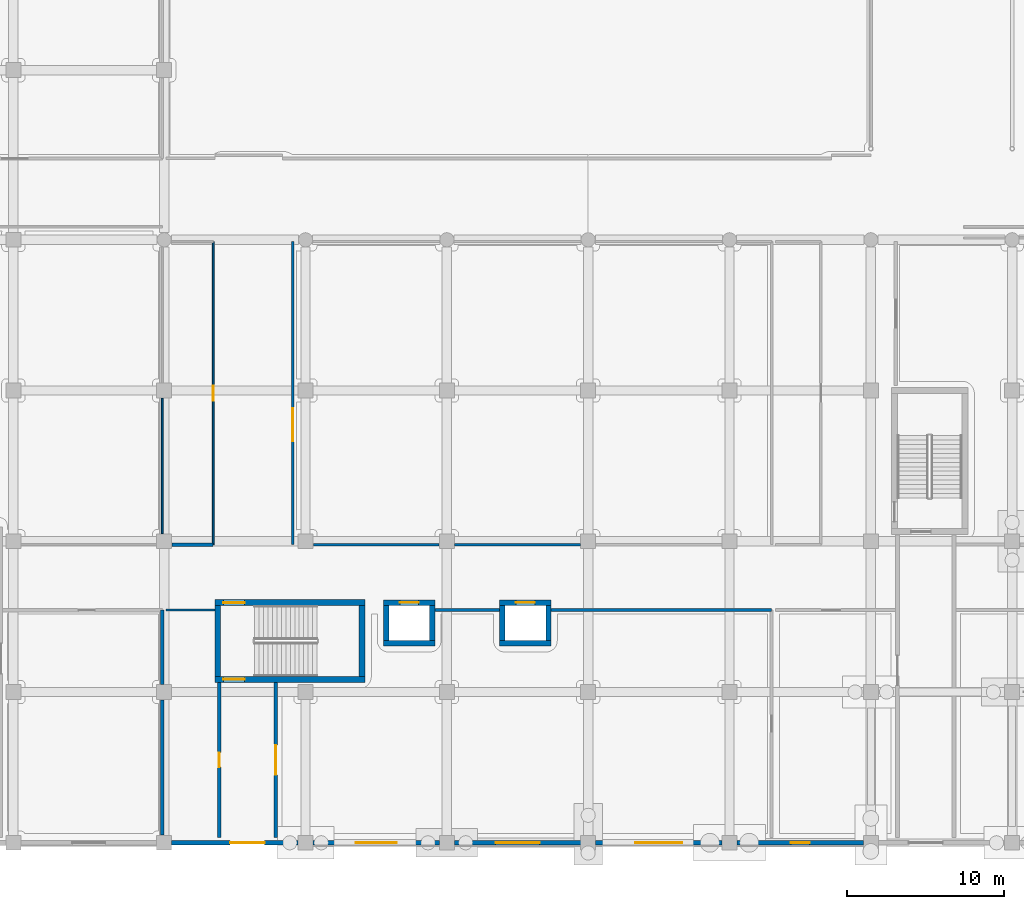
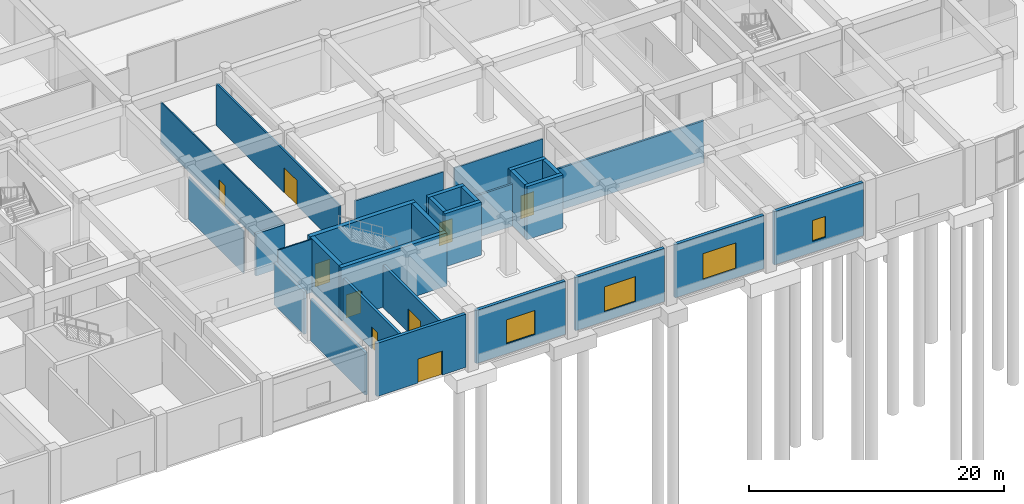
# One storey, part 31 of 74: 30 walls, 9 doors, 4 windows, 13 openings.
"""IFC4 building model written with IfcOpenShell, lengths in metres."""

import ifcopenshell
import ifcopenshell.guid

model = None  # the IFC model being written
_history = None  # IfcOwnerHistory: only IFC2X3 demands one
_inside = {}  # id of a spatial element -> (the spatial element, [elements in it])
_under = {}  # id of a project, library or spatial element -> (it, [spatial elements below it])
_declared = {}  # id of a project -> (the project, [libraries it declares])
_typed = {}  # id of a type object -> (the type object, [elements of that type])
_made_of = {}  # id of a material, layer set ... -> (it, [elements and type objects made of it])


def new_model(schema):
    """Start an empty IFC model of exactly this schema.

    Asked for "IFC4X3", IfcOpenShell would pick the latest addendum, in which some entities
    have other attributes; the version numbers below select the first issue.
    IFC2X3 requires an IfcOwnerHistory on every rooted entity: one is made here for all.
    """
    global model, _history
    if schema == "IFC4X3":
        model = ifcopenshell.file(schema_version=(4, 3, 0, 0))
    else:
        model = ifcopenshell.file(schema=schema)
    _inside.clear()
    _under.clear()
    _declared.clear()
    _typed.clear()
    _made_of.clear()
    _history = None
    if model.schema == "IFC2X3":
        org = make("IfcOrganization", Name="unknown")
        user = make(
            "IfcPersonAndOrganization",
            ThePerson=make("IfcPerson", FamilyName="unknown"),
            TheOrganization=org,
        )
        app = make(
            "IfcApplication",
            ApplicationDeveloper=org,
            Version="unknown",
            ApplicationFullName="unknown",
            ApplicationIdentifier="unknown",
        )
        _history = make(
            "IfcOwnerHistory",
            OwningUser=user,
            OwningApplication=app,
            ChangeAction="ADDED",
            CreationDate=0,
        )
    return model


def make(cls, **values):
    """One entity of the class cls with the attributes given. An attribute that is None is left unset."""
    return model.create_entity(
        cls, **{name: value for name, value in values.items() if value is not None}
    )


def rooted(cls, **values):
    """An entity with a GlobalId (a new one), such as an element, a storey or a relation."""
    return make(cls, GlobalId=ifcopenshell.guid.new(), OwnerHistory=_history, **values)


def si_unit(unit_type, name, prefix=None):
    """IfcSIUnit, for example si_unit("LENGTHUNIT", "METRE", prefix="MILLI")."""
    return make("IfcSIUnit", UnitType=unit_type, Prefix=prefix, Name=name)


def assignment(units):
    """IfcUnitAssignment: the units of a project."""
    return None if units is None else make("IfcUnitAssignment", Units=units)


def point(xyz):
    """IfcCartesianPoint."""
    return None if xyz is None else make("IfcCartesianPoint", Coordinates=xyz)


def direction(xyz):
    """IfcDirection."""
    return None if xyz is None else make("IfcDirection", DirectionRatios=xyz)


def frame(location, z_axis=None, x_axis=None):
    """IfcAxis2Placement3D, a coordinate frame: its origin and axes. An axis left out is left unset."""
    return make(
        "IfcAxis2Placement3D",
        Location=point(location),
        Axis=direction(z_axis),
        RefDirection=direction(x_axis),
    )


def frame_2d(location, x_axis=None):
    """IfcAxis2Placement2D, a coordinate frame in the plane: its origin and x axis."""
    return make(
        "IfcAxis2Placement2D", Location=point(location), RefDirection=direction(x_axis)
    )


def origin():
    """The frame at (0, 0, 0) with its axes left unset."""
    return frame((0.0, 0.0, 0.0))


def place(relative_to, where):
    """IfcLocalPlacement: puts the frame where relative to a parent placement (None: the world)."""
    return make(
        "IfcLocalPlacement", PlacementRelTo=relative_to, RelativePlacement=where
    )


def context(
    kind, dimensions, precision=None, world=None, true_north=None, identifier=None
):
    """IfcGeometricRepresentationContext, for example the 3D "Model" context."""
    return make(
        "IfcGeometricRepresentationContext",
        ContextIdentifier=identifier,
        ContextType=kind,
        CoordinateSpaceDimension=dimensions,
        Precision=precision,
        WorldCoordinateSystem=world,
        TrueNorth=true_north,
    )


def subcontext(parent, identifier, kind, view, scale=None):
    """IfcGeometricRepresentationSubContext, for example "Body" below "Model"."""
    return make(
        "IfcGeometricRepresentationSubContext",
        ContextIdentifier=identifier,
        ContextType=kind,
        ParentContext=parent,
        TargetScale=scale,
        TargetView=view,
    )


def project(units=None, contexts=None):
    """IfcProject with its units and contexts."""
    return rooted(
        "IfcProject",
        Name="project",
        RepresentationContexts=contexts,
        UnitsInContext=assignment(units),
    )


def spatial(cls, under=None, at=None, **own):
    """A site, building, storey or space (cls), placed at a placement, below another one or the project."""
    s = rooted(cls, ObjectPlacement=at, **own)
    if under is not None:
        _under.setdefault(under.id(), (under, []))[1].append(s)
    return s


def profile(cls, at=None, kind="AREA", **sizes):
    """A parametric profile (cls). Its sizes go by their IFC names, for example OverallWidth=200.0."""
    return make(cls, ProfileType=kind, Position=at, **sizes)


def rectangle(**sizes):
    """IfcRectangleProfileDef."""
    return profile("IfcRectangleProfileDef", **sizes)


def extrude(swept, where, along, depth):
    """IfcExtrudedAreaSolid: the profile swept, set in the frame where, extruded along a direction by depth."""
    return make(
        "IfcExtrudedAreaSolid",
        SweptArea=swept,
        Position=where,
        ExtrudedDirection=direction(along),
        Depth=depth,
    )


def shape(context_of_items, identifier, shape_type, items):
    """IfcShapeRepresentation: the items that make up one representation, for example the "Body"."""
    return make(
        "IfcShapeRepresentation",
        ContextOfItems=context_of_items,
        RepresentationIdentifier=identifier,
        RepresentationType=shape_type,
        Items=items,
    )


def material(Name=None, Category=None):
    """IfcMaterial."""
    return make("IfcMaterial", Name=Name, Category=Category)


def layer(
    of_material, thickness, ventilated=None, Name=None, Category=None, Priority=None
):
    """IfcMaterialLayer: one layer of a wall or slab, of a material (None: an air gap)."""
    return make(
        "IfcMaterialLayer",
        Material=of_material,
        LayerThickness=thickness,
        IsVentilated=ventilated,
        Name=Name,
        Category=Category,
        Priority=Priority,
    )


def layer_set(layers, Name=None):
    """IfcMaterialLayerSet."""
    return make("IfcMaterialLayerSet", MaterialLayers=layers, LayerSetName=Name)


def made_of(thing, what):
    """Note that an element or type object is made of a material, layer set ...; save() writes the relation."""
    if what is not None:
        _made_of.setdefault(what.id(), (what, []))[1].append(thing)
    return thing


def type_object(cls, material=None, **own):
    """A type object (cls), such as IfcWallType, which elements share."""
    return made_of(rooted(cls, **own), material)


def element(
    cls,
    number,
    at=None,
    inside=None,
    cuts=None,
    type_object=None,
    material=None,
    context=None,
    identifier="Body",
    shape_type=None,
    held_by="IfcProductDefinitionShape",
    body=None,
    shapes=None,
    **own,
):
    """One element of the class cls, such as IfcWall. Its Tag is "e" and its number.

    at: its placement. inside: the storey or other place that contains it. cuts: it is an
    opening in that element (IfcRelVoidsElement). A single representation is given by context,
    identifier, shape_type and body (its items); several are given by shapes. held_by: the class
    of the entity that holds the representations. save() writes the other relations.
    """
    e = rooted(cls, Tag="e%d" % number, ObjectPlacement=at, **own)
    if body is not None:
        shapes = [shape(context, identifier, shape_type, body)]
    if shapes is not None:
        e.Representation = make(held_by, Representations=shapes)
    if inside is not None:
        _inside.setdefault(inside.id(), (inside, []))[1].append(e)
    if cuts is not None:
        rooted(
            "IfcRelVoidsElement", RelatingBuildingElement=cuts, RelatedOpeningElement=e
        )
    if type_object is not None:
        _typed.setdefault(type_object.id(), (type_object, []))[1].append(e)
    return made_of(e, material)


def fill(opening, filler):
    """IfcRelFillsElement: the door or window that sits in an opening."""
    return rooted(
        "IfcRelFillsElement",
        RelatingOpeningElement=opening,
        RelatedBuildingElement=filler,
    )


def aggregate(whole, parts):
    """IfcRelAggregates: a whole, such as a stair, and the parts it consists of."""
    return rooted("IfcRelAggregates", RelatingObject=whole, RelatedObjects=parts)


def save(model, path):
    """Write the relations noted so far, then the file.

    IfcRelAggregates (storeys below a building ...), IfcRelContainedInSpatialStructure (elements
    in a storey), IfcRelDefinesByType, IfcRelAssociatesMaterial and IfcRelDeclares: one each for
    every whole, place, type object, material and project.
    """
    for whole, parts in _under.values():
        aggregate(whole, parts)
    for where, things in _inside.values():
        rooted(
            "IfcRelContainedInSpatialStructure",
            RelatedElements=things,
            RelatingStructure=where,
        )
    for kind, things in _typed.values():
        rooted("IfcRelDefinesByType", RelatedObjects=things, RelatingType=kind)
    for what, things in _made_of.values():
        rooted("IfcRelAssociatesMaterial", RelatedObjects=things, RelatingMaterial=what)
    for by, libraries in _declared.values():
        rooted("IfcRelDeclares", RelatingContext=by, RelatedDefinitions=libraries)
    model.write(path)


model = new_model("IFC4")

# Units and contexts
model_context = context("Model", 3, precision=1e-05, world=origin(), true_north=direction((0.0, 1.0)))
body_context = subcontext(model_context, "Body", "Model", "MODEL_VIEW")
ifc_project = project(units=[si_unit("LENGTHUNIT", "METRE"), si_unit("AREAUNIT", "SQUARE_METRE"), si_unit("VOLUMEUNIT", "CUBIC_METRE"), si_unit("PLANEANGLEUNIT", "RADIAN"), si_unit("MASSUNIT", "GRAM", prefix="KILO")], contexts=[model_context])

# Site, building, storey
site_placement = place(None, origin())
site = spatial("IfcSite", under=ifc_project, at=site_placement, CompositionType="ELEMENT")
building_placement = place(site_placement, origin())
building = spatial("IfcBuilding", under=site, at=building_placement, Name="Cendralis Terraced Arcade", CompositionType="ELEMENT")
storey_placement = place(building_placement, origin())
storey = spatial("IfcBuildingStorey", under=building, at=storey_placement, Name="L00", CompositionType="ELEMENT", Elevation=0.0)

# Walls
ifc_material_1 = material(Name="Gypsum plasterboard acoustic partition", Category="concrete")
ifc_layer_1 = layer(ifc_material_1, 0.2099609375, Name="WL-ACOU-210")
ifc_layer_set_1 = layer_set([ifc_layer_1], Name="Gypsum plasterboard acoustic partition")
wall_type_1 = type_object("IfcWallType", Name="WL-ACOU-210", PredefinedType="PARTITIONING", material=ifc_layer_set_1)
wall_1_placement = place(storey_placement, frame((67.080078125, 9.10498046875, 0.0), z_axis=(0.0, 0.0, 1.0), x_axis=(0.0, -1.0, 0.0)))
element("IfcWall", 1, at=wall_1_placement, inside=storey, type_object=wall_type_1, Name="Interior Partition Wall IW-L00-0228", PredefinedType="PARTITIONING", context=body_context, shape_type="SweptSolid", body=[
    extrude(rectangle(XDim=8.60986328125, YDim=0.2099609375, at=frame_2d((4.304931640625, 0.0))), origin(), (0.0, 0.0, 1.0), 4.030029296875),
])
ifc_material_2 = material(Name="Autoclaved aerated concrete blockwork", Category="masonry")
ifc_layer_2 = layer(ifc_material_2, 0.221923828125, Name="WL-ACOU-222")
ifc_layer_set_2 = layer_set([ifc_layer_2], Name="Autoclaved aerated concrete blockwork")
wall_type_2 = type_object("IfcWallType", Name="WL-ACOU-222", PredefinedType="PARTITIONING", material=ifc_layer_set_2)
wall_2_placement = place(storey_placement, frame((67.080078125, 14.820068359375, 0.0), z_axis=(0.0, 0.0, 1.0), x_axis=(0.0, -1.0, 0.0)))
element("IfcWall", 2, at=wall_2_placement, inside=storey, type_object=wall_type_2, Name="Interior Partition Wall IW-L00-0227", PredefinedType="PARTITIONING", context=body_context, shape_type="SweptSolid", body=[
    extrude(rectangle(XDim=4.72509765625, YDim=0.221923828125, at=frame_2d((2.362548828125, 0.0))), origin(), (0.0, 0.0, 1.0), 4.030029296875),
])
ifc_layer_3 = layer(ifc_material_2, 0.22802734375, Name="WL-ACOU-228")
ifc_layer_set_3 = layer_set([ifc_layer_3], Name="Autoclaved aerated concrete blockwork")
wall_type_3 = type_object("IfcWallType", Name="WL-ACOU-228", PredefinedType="PARTITIONING", material=ifc_layer_set_3)
wall_3_placement = place(storey_placement, frame((70.320068359375, 18.97998046875, 0.0), z_axis=(0.0, 0.0, 1.0), x_axis=(-1.0, 0.0, 0.0)))
element("IfcWall", 3, at=wall_3_placement, inside=storey, type_object=wall_type_3, Name="Interior Partition Wall IW-L00-0289", PredefinedType="PARTITIONING", context=body_context, shape_type="SweptSolid", body=[
    extrude(rectangle(XDim=2.625, YDim=0.22802734375, at=frame_2d((1.3125, 0.0))), origin(), (0.0, 0.0, 1.0), 4.030029296875),
])
ifc_material_3 = material(Name="Concrete f'c 42 MPa", Category="concrete")
ifc_layer_4 = layer(ifc_material_3, 0.340087890625, Name="WL-CORE-340")
ifc_layer_set_4 = layer_set([ifc_layer_4], Name="Concrete f'c 42 MPa")
wall_type_4 = type_object("IfcWallType", Name="WL-CORE-340", PredefinedType="SHEAR", material=ifc_layer_set_4)
wall_4_placement = place(storey_placement, frame((81.159912109375, 12.705078125, 0.0), z_axis=(0.0, 0.0, 1.0), x_axis=(1.0, 0.0, 0.0)))
element("IfcWall", 4, at=wall_4_placement, inside=storey, type_object=wall_type_4, Name="Lift PL-07 Reinforced Concrete Shaft Wall (L00)", PredefinedType="SHEAR", context=body_context, shape_type="SweptSolid", body=[
    extrude(rectangle(XDim=3.280029296875, YDim=0.340087890625, at=frame_2d((1.64013671875, 0.0))), origin(), (0.0, 0.0, 1.0), 5.090087890625),
])

# Wall, opening, door
wall_5_placement = place(storey_placement, frame((81.159912109375, 15.294921875, 0.0), z_axis=(0.0, 0.0, 1.0), x_axis=(1.0, 0.0, 0.0)))
wall_5 = element("IfcWall", 5, at=wall_5_placement, inside=storey, type_object=wall_type_4, Name="Lift PL-07 Reinforced Concrete Shaft Wall (L00)", PredefinedType="SHEAR", context=body_context, shape_type="SweptSolid", body=[
    extrude(rectangle(XDim=3.280029296875, YDim=0.340087890625, at=frame_2d((1.64013671875, 0.0))), origin(), (0.0, 0.0, 1.0), 5.090087890625),
])
opening_1_placement = place(wall_5_placement, frame((1.0400390625, 0.0, 0.0)))
opening_1 = element("IfcOpeningElement", 6, at=opening_1_placement, cuts=wall_5, Name="Opening LD-PL-07-L00", PredefinedType="OPENING", context=body_context, shape_type="SweptSolid", body=[
    extrude(rectangle(XDim=1.199951171875, YDim=2.199951171875, at=frame_2d((0.60009765625, 1.10009765625))), frame((0.0, 0.18212890625, 0.0), z_axis=(0.0, -1.0, 0.0), x_axis=(1.0, 0.0, 0.0)), (0.0, 0.0, 1.0), 0.364013671875),
])
ifc_material_4 = material(Name="Anodised aluminium sliding door assembly", Category="aluminium")
door_type_1 = type_object("IfcDoorType", Name="ID-LD-PX-1200x2200", OperationType="DOUBLE_DOOR_SLIDING", PredefinedType="DOOR", material=ifc_material_4)
door_1_placement = place(opening_1_placement, origin())
door_1 = element("IfcDoor", 7, at=door_1_placement, inside=storey, type_object=door_type_1, Name="Lift PL-07 Sliding Landing Door (L00)", OperationType="DOUBLE_DOOR_SLIDING", OverallHeight=2.199951171875, OverallWidth=1.199951171875, PredefinedType="DOOR", context=body_context, shape_type="SweptSolid", body=[
    extrude(rectangle(XDim=1.199951171875, YDim=2.199951171875, at=frame_2d((0.60009765625, 1.10009765625))), frame((0.0, 0.02490234375, 0.0), z_axis=(0.0, -1.0, 0.0), x_axis=(1.0, 0.0, 0.0)), (0.0, 0.0, 1.0), 0.050048828125),
])
fill(opening_1, door_1)

# Walls
for number, where, z_axis, x_axis, name in (
    (8, (81.330078125, 12.875, 0.0), (0.0, 0.0, 1.0), (0.0, 1.0, 0.0), "Lift PL-07 Reinforced Concrete Shaft Wall (L00)"),
    (9, (84.27001953125, 12.875, 0.0), (0.0, 0.0, 1.0), (0.0, 1.0, 0.0), "Lift PL-07 Reinforced Concrete Shaft Wall (L00)"),
):
    element("IfcWall", number, at=place(storey_placement, frame(where, z_axis=z_axis, x_axis=x_axis)), inside=storey, type_object=wall_type_4, Name=name, PredefinedType="SHEAR", context=body_context, shape_type="SweptSolid", body=[
        extrude(rectangle(XDim=2.25, YDim=0.340087890625, at=frame_2d((1.125, 0.0))), origin(), (0.0, 0.0, 1.0), 5.090087890625),
    ])
wall_6_placement = place(storey_placement, frame((88.56005859375, 12.705078125, 0.0), z_axis=(0.0, 0.0, 1.0), x_axis=(1.0, 0.0, 0.0)))
element("IfcWall", 10, at=wall_6_placement, inside=storey, type_object=wall_type_4, Name="Lift PL-08 Reinforced Concrete Shaft Wall (L00)", PredefinedType="SHEAR", context=body_context, shape_type="SweptSolid", body=[
    extrude(rectangle(XDim=3.280029296875, YDim=0.340087890625, at=frame_2d((1.64013671875, 0.0))), origin(), (0.0, 0.0, 1.0), 5.090087890625),
])

# Wall, opening, door
wall_7_placement = place(storey_placement, frame((88.56005859375, 15.294921875, 0.0), z_axis=(0.0, 0.0, 1.0), x_axis=(1.0, 0.0, 0.0)))
wall_7 = element("IfcWall", 11, at=wall_7_placement, inside=storey, type_object=wall_type_4, Name="Lift PL-08 Reinforced Concrete Shaft Wall (L00)", PredefinedType="SHEAR", context=body_context, shape_type="SweptSolid", body=[
    extrude(rectangle(XDim=3.280029296875, YDim=0.340087890625, at=frame_2d((1.64013671875, 0.0))), origin(), (0.0, 0.0, 1.0), 5.090087890625),
])
opening_2_placement = place(wall_7_placement, frame((1.0400390625, 0.0, 0.0)))
opening_2 = element("IfcOpeningElement", 12, at=opening_2_placement, cuts=wall_7, Name="Opening LD-PL-08-L00", PredefinedType="OPENING", context=body_context, shape_type="SweptSolid", body=[
    extrude(rectangle(XDim=1.199951171875, YDim=2.199951171875, at=frame_2d((0.60009765625, 1.10009765625))), frame((0.0, 0.18212890625, 0.0), z_axis=(0.0, -1.0, 0.0), x_axis=(1.0, 0.0, 0.0)), (0.0, 0.0, 1.0), 0.364013671875),
])
door_2_placement = place(opening_2_placement, origin())
door_2 = element("IfcDoor", 13, at=door_2_placement, inside=storey, type_object=door_type_1, Name="Lift PL-08 Sliding Landing Door (L00)", OperationType="DOUBLE_DOOR_SLIDING", OverallHeight=2.199951171875, OverallWidth=1.199951171875, PredefinedType="DOOR", context=body_context, shape_type="SweptSolid", body=[
    extrude(rectangle(XDim=1.199951171875, YDim=2.199951171875, at=frame_2d((0.60009765625, 1.10009765625))), frame((0.0, 0.02490234375, 0.0), z_axis=(0.0, -1.0, 0.0), x_axis=(1.0, 0.0, 0.0)), (0.0, 0.0, 1.0), 0.050048828125),
])
fill(opening_2, door_2)

# Walls
for number, where, z_axis, x_axis, name in (
    (14, (88.72998046875, 12.875, 0.0), (0.0, 0.0, 1.0), (0.0, 1.0, 0.0), "Lift PL-08 Reinforced Concrete Shaft Wall (L00)"),
    (15, (91.669921875, 12.875, 0.0), (0.0, 0.0, 1.0), (0.0, 1.0, 0.0), "Lift PL-08 Reinforced Concrete Shaft Wall (L00)"),
):
    element("IfcWall", number, at=place(storey_placement, frame(where, z_axis=z_axis, x_axis=x_axis)), inside=storey, type_object=wall_type_4, Name=name, PredefinedType="SHEAR", context=body_context, shape_type="SweptSolid", body=[
        extrude(rectangle(XDim=2.25, YDim=0.340087890625, at=frame_2d((1.125, 0.0))), origin(), (0.0, 0.0, 1.0), 5.090087890625),
    ])

# Wall, opening, door
ifc_layer_5 = layer(ifc_material_3, 0.3798828125, Name="WL-CORE-380")
ifc_layer_set_5 = layer_set([ifc_layer_5], Name="Concrete f'c 42 MPa")
wall_type_5 = type_object("IfcWallType", Name="WL-CORE-380", PredefinedType="SHEAR", material=ifc_layer_set_5)
wall_8_placement = place(storey_placement, frame((70.419921875, 10.409912109375, 0.0), z_axis=(0.0, 0.0, 1.0), x_axis=(1.0, 0.0, 0.0)))
wall_8 = element("IfcWall", 16, at=wall_8_placement, inside=storey, type_object=wall_type_5, Name="Stair Core Reinforced Concrete Shear Wall SW-ST-08-L00-S", PredefinedType="SHEAR", context=body_context, shape_type="SweptSolid", body=[
    extrude(rectangle(XDim=9.56005859375, YDim=0.3798828125, at=frame_2d((4.780029296875, 0.0))), origin(), (0.0, 0.0, 1.0), 5.090087890625),
])
opening_3_placement = place(wall_8_placement, frame((0.550048828125, 0.0, 0.0)))
opening_3 = element("IfcOpeningElement", 17, at=opening_3_placement, cuts=wall_8, Name="Opening D-ST-08-EXP", PredefinedType="OPENING", context=body_context, shape_type="SweptSolid", body=[
    extrude(rectangle(XDim=1.35009765625, YDim=2.199951171875, at=frame_2d((0.675048828125, 1.10009765625))), frame((0.0, 0.201904296875, 0.0), z_axis=(0.0, -1.0, 0.0), x_axis=(1.0, 0.0, 0.0)), (0.0, 0.0, 1.0), 0.40380859375),
])
ifc_material_5 = material(Name="Galvanised fire-rated steel door assembly", Category="steel")
door_type_2 = type_object("IfcDoorType", Name="ID-ST-1350x2200", OperationType="NOTDEFINED", PredefinedType="DOOR", material=ifc_material_5)
door_3_placement = place(opening_3_placement, frame((1.35009765625, 0.0, 0.0), z_axis=(0.0, 0.0, 1.0), x_axis=(-1.0, 0.0, 0.0)))
door_3 = element("IfcDoor", 18, at=door_3_placement, inside=storey, type_object=door_type_2, Name="Stair ST-08 Exit Passage Discharge Door", OperationType="SINGLE_SWING_RIGHT", OverallHeight=2.199951171875, OverallWidth=1.35009765625, PredefinedType="DOOR", context=body_context, shape_type="SweptSolid", body=[
    extrude(rectangle(XDim=1.35009765625, YDim=2.199951171875, at=frame_2d((0.675048828125, 1.10009765625))), frame((0.0, 0.02490234375, 0.0), z_axis=(0.0, -1.0, 0.0), x_axis=(1.0, 0.0, 0.0)), (0.0, 0.0, 1.0), 0.050048828125),
])
fill(opening_3, door_3)

wall_9_placement = place(storey_placement, frame((70.419921875, 15.2900390625, 0.0), z_axis=(0.0, 0.0, 1.0), x_axis=(1.0, 0.0, 0.0)))
wall_9 = element("IfcWall", 19, at=wall_9_placement, inside=storey, type_object=wall_type_5, Name="Stair Core Reinforced Concrete Shear Wall SW-ST-08-L00-N", PredefinedType="SHEAR", context=body_context, shape_type="SweptSolid", body=[
    extrude(rectangle(XDim=9.56005859375, YDim=0.3798828125, at=frame_2d((4.780029296875, 0.0))), origin(), (0.0, 0.0, 1.0), 5.090087890625),
])
opening_4_placement = place(wall_9_placement, frame((0.550048828125, 0.0, 0.0)))
opening_4 = element("IfcOpeningElement", 20, at=opening_4_placement, cuts=wall_9, Name="Opening D-ST-08-L00", PredefinedType="OPENING", context=body_context, shape_type="SweptSolid", body=[
    extrude(rectangle(XDim=1.35009765625, YDim=2.199951171875, at=frame_2d((0.675048828125, 1.10009765625))), frame((0.0, 0.201904296875, 0.0), z_axis=(0.0, -1.0, 0.0), x_axis=(1.0, 0.0, 0.0)), (0.0, 0.0, 1.0), 0.40380859375),
])
door_4_placement = place(opening_4_placement, frame((1.35009765625, 0.0, 0.0), z_axis=(0.0, 0.0, 1.0), x_axis=(-1.0, 0.0, 0.0)))
door_4 = element("IfcDoor", 21, at=door_4_placement, inside=storey, type_object=door_type_2, Name="Protected Stair ST-08 Fire Door (L00)", OperationType="SINGLE_SWING_LEFT", OverallHeight=2.199951171875, OverallWidth=1.35009765625, PredefinedType="DOOR", context=body_context, shape_type="SweptSolid", body=[
    extrude(rectangle(XDim=1.35009765625, YDim=2.199951171875, at=frame_2d((0.675048828125, 1.10009765625))), frame((0.0, 0.02490234375, 0.0), z_axis=(0.0, -1.0, 0.0), x_axis=(1.0, 0.0, 0.0)), (0.0, 0.0, 1.0), 0.050048828125),
])
fill(opening_4, door_4)

# Walls
for number, where, z_axis, x_axis, name in (
    (22, (79.7900390625, 10.60009765625, 0.0), (0.0, 0.0, 1.0), (0.0, 1.0, 0.0), "Stair Core Reinforced Concrete Shear Wall SW-ST-08-L00-E"),
    (23, (70.610107421875, 10.60009765625, 0.0), (0.0, 0.0, 1.0), (0.0, 1.0, 0.0), "Stair Core Reinforced Concrete Shear Wall SW-ST-08-L00-W"),
):
    element("IfcWall", number, at=place(storey_placement, frame(where, z_axis=z_axis, x_axis=x_axis)), inside=storey, type_object=wall_type_5, Name=name, PredefinedType="SHEAR", context=body_context, shape_type="SweptSolid", body=[
        extrude(rectangle(XDim=4.5, YDim=0.3798828125, at=frame_2d((2.25, 0.0))), origin(), (0.0, 0.0, 1.0), 5.090087890625),
    ])

# Wall, opening, window
ifc_material_6 = material(Name="Terracotta clay masonry", Category="masonry")
ifc_layer_6 = layer(ifc_material_6, 0.2900390625, Name="WL-EXT-TER-290")
ifc_layer_set_6 = layer_set([ifc_layer_6], Name="Terracotta clay masonry")
wall_type_6 = type_object("IfcWallType", Name="WL-EXT-TER-290", PredefinedType="SOLIDWALL", material=ifc_layer_set_6)
wall_10_placement = place(storey_placement, frame((111.72705078125, 0.0, 0.0), z_axis=(0.0, 0.0, 1.0), x_axis=(-1.0, 0.0, 0.0)))
wall_10 = element("IfcWall", 24, at=wall_10_placement, inside=storey, type_object=wall_type_6, Name="Exterior Architectural Wall EW-L00-0003", PredefinedType="SOLIDWALL", context=body_context, shape_type="SweptSolid", body=[
    extrude(rectangle(XDim=8.053955078125, YDim=0.2900390625, at=frame_2d((4.02685546875, 0.0))), origin(), (0.0, 0.0, 1.0), 5.090087890625),
])
opening_5_placement = place(wall_10_placement, frame((3.427001953125, 0.0, 1.050048828125)))
opening_5 = element("IfcOpeningElement", 25, at=opening_5_placement, cuts=wall_10, Name="Opening W-07", PredefinedType="OPENING", context=body_context, shape_type="SweptSolid", body=[
    extrude(rectangle(XDim=1.199951171875, YDim=2.0, at=frame_2d((0.60009765625, 1.0))), frame((0.0, 0.156982421875, 0.0), z_axis=(0.0, -1.0, 0.0), x_axis=(1.0, 0.0, 0.0)), (0.0, 0.0, 1.0), 0.31396484375),
])
ifc_material_7 = material(Name="Tempered solar control laminated glass", Category="glass")
window_type_1 = type_object("IfcWindowType", Name="WN-F1-1200x2000", PartitioningType="SINGLE_PANEL", PredefinedType="WINDOW", material=ifc_material_7)
window_1_placement = place(opening_5_placement, origin())
window_1 = element("IfcWindow", 26, at=window_1_placement, inside=storey, type_object=window_type_1, Name="Exterior Solar-Control Window WN-L00-0001", OverallHeight=2.0, OverallWidth=1.199951171875, PartitioningType="SINGLE_PANEL", PredefinedType="WINDOW", context=body_context, shape_type="SweptSolid", body=[
    extrude(rectangle(XDim=1.199951171875, YDim=2.0, at=frame_2d((0.60009765625, 1.0))), frame((0.0, 0.030029296875, 0.0), z_axis=(0.0, -1.0, 0.0), x_axis=(1.0, 0.0, 0.0)), (0.0, 0.0, 1.0), 0.06005859375),
])
fill(opening_5, window_1)

wall_11_placement = place(storey_placement, frame((102.72705078125, 0.0, 0.0), z_axis=(0.0, 0.0, 1.0), x_axis=(-1.0, 0.0, 0.0)))
wall_11 = element("IfcWall", 27, at=wall_11_placement, inside=storey, type_object=wall_type_6, Name="Exterior Architectural Wall EW-L00-0004", PredefinedType="SOLIDWALL", context=body_context, shape_type="SweptSolid", body=[
    extrude(rectangle(XDim=8.053955078125, YDim=0.2900390625, at=frame_2d((4.02685546875, 0.0))), origin(), (0.0, 0.0, 1.0), 5.090087890625),
])
opening_6_placement = place(wall_11_placement, frame((2.527099609375, 0.0, 0.85009765625)))
opening_6 = element("IfcOpeningElement", 28, at=opening_6_placement, cuts=wall_11, Name="Opening W-08", PredefinedType="OPENING", context=body_context, shape_type="SweptSolid", body=[
    extrude(rectangle(XDim=3.0, YDim=2.5, at=frame_2d((1.5, 1.25))), frame((0.0, 0.156982421875, 0.0), z_axis=(0.0, -1.0, 0.0), x_axis=(1.0, 0.0, 0.0)), (0.0, 0.0, 1.0), 0.31396484375),
])
window_type_2 = type_object("IfcWindowType", Name="WN-F2-3000x2500", PartitioningType="SINGLE_PANEL", PredefinedType="WINDOW", material=ifc_material_7)
window_2_placement = place(opening_6_placement, origin())
window_2 = element("IfcWindow", 29, at=window_2_placement, inside=storey, type_object=window_type_2, Name="Exterior Solar-Control Window WN-L00-0002", OverallHeight=2.5, OverallWidth=3.0, PartitioningType="SINGLE_PANEL", PredefinedType="WINDOW", context=body_context, shape_type="SweptSolid", body=[
    extrude(rectangle(XDim=3.0, YDim=2.5, at=frame_2d((1.5, 1.25))), frame((0.0, 0.030029296875, 0.0), z_axis=(0.0, -1.0, 0.0), x_axis=(1.0, 0.0, 0.0)), (0.0, 0.0, 1.0), 0.06005859375),
])
fill(opening_6, window_2)

wall_12_placement = place(storey_placement, frame((93.72705078125, 0.0, 0.0), z_axis=(0.0, 0.0, 1.0), x_axis=(-1.0, 0.0, 0.0)))
wall_12 = element("IfcWall", 30, at=wall_12_placement, inside=storey, type_object=wall_type_6, Name="Exterior Architectural Wall EW-L00-0005", PredefinedType="SOLIDWALL", context=body_context, shape_type="SweptSolid", body=[
    extrude(rectangle(XDim=8.053955078125, YDim=0.2900390625, at=frame_2d((4.02685546875, 0.0))), origin(), (0.0, 0.0, 1.0), 5.090087890625),
])
opening_7_placement = place(wall_12_placement, frame((2.626953125, 0.0, 0.89990234375)))
opening_7 = element("IfcOpeningElement", 31, at=opening_7_placement, cuts=wall_12, Name="Opening W-09", PredefinedType="OPENING", context=body_context, shape_type="SweptSolid", body=[
    extrude(rectangle(XDim=2.800048828125, YDim=2.39990234375, at=frame_2d((1.39990234375, 1.199951171875))), frame((0.0, 0.156982421875, 0.0), z_axis=(0.0, -1.0, 0.0), x_axis=(1.0, 0.0, 0.0)), (0.0, 0.0, 1.0), 0.31396484375),
])
window_type_3 = type_object("IfcWindowType", Name="WN-F2-2800x2400", PartitioningType="SINGLE_PANEL", PredefinedType="WINDOW", material=ifc_material_7)
window_3_placement = place(opening_7_placement, origin())
window_3 = element("IfcWindow", 32, at=window_3_placement, inside=storey, type_object=window_type_3, Name="Exterior Solar-Control Window WN-L00-0003", OverallHeight=2.39990234375, OverallWidth=2.800048828125, PartitioningType="SINGLE_PANEL", PredefinedType="WINDOW", context=body_context, shape_type="SweptSolid", body=[
    extrude(rectangle(XDim=2.800048828125, YDim=2.39990234375, at=frame_2d((1.39990234375, 1.199951171875))), frame((0.0, 0.030029296875, 0.0), z_axis=(0.0, -1.0, 0.0), x_axis=(1.0, 0.0, 0.0)), (0.0, 0.0, 1.0), 0.06005859375),
])
fill(opening_7, window_3)

wall_13_placement = place(storey_placement, frame((84.72705078125, 0.0, 0.0), z_axis=(0.0, 0.0, 1.0), x_axis=(-1.0, 0.0, 0.0)))
wall_13 = element("IfcWall", 33, at=wall_13_placement, inside=storey, type_object=wall_type_6, Name="Exterior Architectural Wall EW-L00-0006", PredefinedType="SOLIDWALL", context=body_context, shape_type="SweptSolid", body=[
    extrude(rectangle(XDim=8.053955078125, YDim=0.2900390625, at=frame_2d((4.02685546875, 0.0))), origin(), (0.0, 0.0, 1.0), 5.090087890625),
])
opening_8_placement = place(wall_13_placement, frame((2.72705078125, 0.0, 0.949951171875)))
opening_8 = element("IfcOpeningElement", 34, at=opening_8_placement, cuts=wall_13, Name="Opening W-10", PredefinedType="OPENING", context=body_context, shape_type="SweptSolid", body=[
    extrude(rectangle(XDim=2.60009765625, YDim=2.300048828125, at=frame_2d((1.300048828125, 1.14990234375))), frame((0.0, 0.156982421875, 0.0), z_axis=(0.0, -1.0, 0.0), x_axis=(1.0, 0.0, 0.0)), (0.0, 0.0, 1.0), 0.31396484375),
])
window_type_4 = type_object("IfcWindowType", Name="WN-F2-2600x2300", PartitioningType="SINGLE_PANEL", PredefinedType="WINDOW", material=ifc_material_7)
window_4_placement = place(opening_8_placement, origin())
window_4 = element("IfcWindow", 35, at=window_4_placement, inside=storey, type_object=window_type_4, Name="Exterior Solar-Control Window WN-L00-0004", OverallHeight=2.300048828125, OverallWidth=2.60009765625, PartitioningType="SINGLE_PANEL", PredefinedType="WINDOW", context=body_context, shape_type="SweptSolid", body=[
    extrude(rectangle(XDim=2.60009765625, YDim=2.300048828125, at=frame_2d((1.300048828125, 1.14990234375))), frame((0.0, 0.030029296875, 0.0), z_axis=(0.0, -1.0, 0.0), x_axis=(1.0, 0.0, 0.0)), (0.0, 0.0, 1.0), 0.06005859375),
])
fill(opening_8, window_4)

# Wall, opening, door
wall_14_placement = place(storey_placement, frame((75.72509765625, 0.0, 0.0), z_axis=(0.0, 0.0, 1.0), x_axis=(-1.0, 0.0, 0.0)))
wall_14 = element("IfcWall", 36, at=wall_14_placement, inside=storey, type_object=wall_type_6, Name="Exterior Architectural Wall EW-L00-0007", PredefinedType="SOLIDWALL", context=body_context, shape_type="SweptSolid", body=[
    extrude(rectangle(XDim=8.050048828125, YDim=0.2900390625, at=frame_2d((4.02490234375, 0.0))), origin(), (0.0, 0.0, 1.0), 5.090087890625),
])
opening_9_placement = place(wall_14_placement, frame((2.125, 0.0, 0.0)))
opening_9 = element("IfcOpeningElement", 37, at=opening_9_placement, cuts=wall_14, Name="Opening EX-08", PredefinedType="OPENING", context=body_context, shape_type="SweptSolid", body=[
    extrude(rectangle(XDim=2.199951171875, YDim=2.300048828125, at=frame_2d((1.10009765625, 1.14990234375))), frame((0.0, 0.156982421875, 0.0), z_axis=(0.0, -1.0, 0.0), x_axis=(1.0, 0.0, 0.0)), (0.0, 0.0, 1.0), 0.31396484375),
])
ifc_material_8 = material(Name="Powder-coated thermally broken aluminium and glass", Category="aluminium")
door_type_3 = type_object("IfcDoorType", Name="ED-PASS-2200x2300", OperationType="DOUBLE_DOOR_SINGLE_SWING", PredefinedType="DOOR", material=ifc_material_8)
door_5_placement = place(opening_9_placement, origin())
door_5 = element("IfcDoor", 38, at=door_5_placement, inside=storey, type_object=door_type_3, Name="Exit Passage ST-08 Final Exit Door EX-08", OperationType="DOUBLE_DOOR_SINGLE_SWING", OverallHeight=2.300048828125, OverallWidth=2.199951171875, PredefinedType="DOOR", context=body_context, shape_type="SweptSolid", body=[
    extrude(rectangle(XDim=2.199951171875, YDim=2.300048828125, at=frame_2d((1.10009765625, 1.14990234375))), frame((0.0, 0.02490234375, 0.0), z_axis=(0.0, -1.0, 0.0), x_axis=(1.0, 0.0, 0.0)), (0.0, 0.0, 1.0), 0.050048828125),
])
fill(opening_9, door_5)

ifc_layer_7 = layer(ifc_material_2, 0.235107421875, Name="WL-FIRE-235")
ifc_layer_set_7 = layer_set([ifc_layer_7], Name="Autoclaved aerated concrete blockwork")
wall_type_7 = type_object("IfcWallType", Name="WL-FIRE-235", PredefinedType="PARTITIONING", material=ifc_layer_set_7)
wall_15_placement = place(storey_placement, frame((70.699951171875, 0.35009765625, 0.0), z_axis=(0.0, 0.0, 1.0), x_axis=(0.0, 1.0, 0.0)))
wall_15 = element("IfcWall", 39, at=wall_15_placement, inside=storey, type_object=wall_type_7, Name="Protected Exit Passage 2-Hour Wall EP-ST08-W", PredefinedType="PARTITIONING", context=body_context, shape_type="SweptSolid", body=[
    extrude(rectangle(XDim=9.849853515625, YDim=0.235107421875, at=frame_2d((4.9248046875, 0.0))), origin(), (0.0, 0.0, 1.0), 4.030029296875),
])
opening_10_placement = place(wall_15_placement, frame((4.465087890625, 0.0, 0.0)))
opening_10 = element("IfcOpeningElement", 40, at=opening_10_placement, cuts=wall_15, Name="Opening D-L00-082", PredefinedType="OPENING", context=body_context, shape_type="SweptSolid", body=[
    extrude(rectangle(XDim=0.919921875, YDim=2.10009765625, at=frame_2d((0.4599609375, 1.050048828125))), frame((0.0, 0.12939453125, 0.0), z_axis=(0.0, -1.0, 0.0), x_axis=(1.0, 0.0, 0.0)), (0.0, 0.0, 1.0), 0.259033203125),
])
ifc_material_9 = material(Name="Solid core Andean oak veneer door leaf", Category="aluminium")
door_type_4 = type_object("IfcDoorType", Name="ID-RM-0920x2100", OperationType="NOTDEFINED", PredefinedType="DOOR", material=ifc_material_9)
door_6_placement = place(opening_10_placement, origin())
door_6 = element("IfcDoor", 41, at=door_6_placement, inside=storey, type_object=door_type_4, Name="Gourmet Market Stalls and Delicatessen Food Hall Door D-L00-082", OperationType="SINGLE_SWING_RIGHT", OverallHeight=2.10009765625, OverallWidth=0.919921875, PredefinedType="DOOR", context=body_context, shape_type="SweptSolid", body=[
    extrude(rectangle(XDim=0.919921875, YDim=2.10009765625, at=frame_2d((0.4599609375, 1.050048828125))), frame((0.0, 0.02490234375, 0.0), z_axis=(0.0, -1.0, 0.0), x_axis=(1.0, 0.0, 0.0)), (0.0, 0.0, 1.0), 0.050048828125),
])
fill(opening_10, door_6)

wall_16_placement = place(storey_placement, frame((74.300048828125, 0.35009765625, 0.0), z_axis=(0.0, 0.0, 1.0), x_axis=(0.0, 1.0, 0.0)))
wall_16 = element("IfcWall", 42, at=wall_16_placement, inside=storey, type_object=wall_type_7, Name="Protected Exit Passage 2-Hour Wall EP-ST08-E", PredefinedType="PARTITIONING", context=body_context, shape_type="SweptSolid", body=[
    extrude(rectangle(XDim=9.849853515625, YDim=0.235107421875, at=frame_2d((4.9248046875, 0.0))), origin(), (0.0, 0.0, 1.0), 4.030029296875),
])
opening_11_placement = place(wall_16_placement, frame((3.97509765625, 0.0, 0.0)))
opening_11 = element("IfcOpeningElement", 43, at=opening_11_placement, cuts=wall_16, Name="Opening D-EP-ST08-E", PredefinedType="OPENING", context=body_context, shape_type="SweptSolid", body=[
    extrude(rectangle(XDim=1.89990234375, YDim=2.25, at=frame_2d((0.949951171875, 1.125))), frame((0.0, 0.12939453125, 0.0), z_axis=(0.0, -1.0, 0.0), x_axis=(1.0, 0.0, 0.0)), (0.0, 0.0, 1.0), 0.259033203125),
])
door_type_5 = type_object("IfcDoorType", Name="ID-EXP-1900x2250", OperationType="DOUBLE_DOOR_SINGLE_SWING", PredefinedType="DOOR", material=ifc_material_5)
door_7_placement = place(opening_11_placement, origin())
door_7 = element("IfcDoor", 44, at=door_7_placement, inside=storey, type_object=door_type_5, Name="Protected Exit Passage Fire Door EP-ST08-E", OperationType="DOUBLE_DOOR_SINGLE_SWING", OverallHeight=2.25, OverallWidth=1.89990234375, PredefinedType="DOOR", context=body_context, shape_type="SweptSolid", body=[
    extrude(rectangle(XDim=1.89990234375, YDim=2.25, at=frame_2d((0.949951171875, 1.125))), frame((0.0, 0.02490234375, 0.0), z_axis=(0.0, -1.0, 0.0), x_axis=(1.0, 0.0, 0.0)), (0.0, 0.0, 1.0), 0.050048828125),
])
fill(opening_11, door_7)

# Wall
ifc_layer_8 = layer(ifc_material_1, 0.112060546875, Name="WL-PART-112")
ifc_layer_set_8 = layer_set([ifc_layer_8], Name="Gypsum plasterboard acoustic partition")
wall_type_8 = type_object("IfcWallType", Name="WL-PART-112", PredefinedType="PARTITIONING", material=ifc_layer_set_8)
wall_17_placement = place(storey_placement, frame((67.080078125, 28.304931640625, 0.0), z_axis=(0.0, 0.0, 1.0), x_axis=(0.0, -1.0, 0.0)))
element("IfcWall", 45, at=wall_17_placement, inside=storey, type_object=wall_type_8, Name="Interior Partition Wall IW-L00-0225", PredefinedType="PARTITIONING", context=body_context, shape_type="SweptSolid", body=[
    extrude(rectangle(XDim=8.60986328125, YDim=0.112060546875, at=frame_2d((4.304931640625, 0.0))), origin(), (0.0, 0.0, 1.0), 4.030029296875),
])

# Wall, opening, door
wall_18_placement = place(storey_placement, frame((70.320068359375, 38.280029296875, 0.0), z_axis=(0.0, 0.0, 1.0), x_axis=(0.0, -1.0, 0.0)))
wall_18 = element("IfcWall", 46, at=wall_18_placement, inside=storey, type_object=wall_type_8, Name="Interior Partition Wall IW-L00-0287", PredefinedType="PARTITIONING", context=body_context, shape_type="SweptSolid", body=[
    extrude(rectangle(XDim=19.300048828125, YDim=0.112060546875, at=frame_2d((9.64990234375, 0.0))), origin(), (0.0, 0.0, 1.0), 4.030029296875),
])
opening_12_placement = place(wall_18_placement, frame((9.175048828125, 0.0, 0.0)))
opening_12 = element("IfcOpeningElement", 47, at=opening_12_placement, cuts=wall_18, Name="Opening D-L00-083", PredefinedType="OPENING", context=body_context, shape_type="SweptSolid", body=[
    extrude(rectangle(XDim=0.949951171875, YDim=2.10009765625, at=frame_2d((0.47509765625, 1.050048828125))), frame((0.0, 0.06787109375, 0.0), z_axis=(0.0, -1.0, 0.0), x_axis=(1.0, 0.0, 0.0)), (0.0, 0.0, 1.0), 0.135986328125),
])
door_type_6 = type_object("IfcDoorType", Name="ID-RM-0950x2100", OperationType="NOTDEFINED", PredefinedType="DOOR", material=ifc_material_9)
door_8_placement = place(opening_12_placement, origin())
door_8 = element("IfcDoor", 48, at=door_8_placement, inside=storey, type_object=door_type_6, Name="Gourmet Market Stalls and Delicatessen Food Hall Door D-L00-083", OperationType="SINGLE_SWING_LEFT", OverallHeight=2.10009765625, OverallWidth=0.949951171875, PredefinedType="DOOR", context=body_context, shape_type="SweptSolid", body=[
    extrude(rectangle(XDim=0.949951171875, YDim=2.10009765625, at=frame_2d((0.47509765625, 1.050048828125))), frame((0.0, 0.02490234375, 0.0), z_axis=(0.0, -1.0, 0.0), x_axis=(1.0, 0.0, 0.0)), (0.0, 0.0, 1.0), 0.050048828125),
])
fill(opening_12, door_8)

# Walls
ifc_layer_9 = layer(ifc_material_1, 0.117919921875, Name="WL-PART-118")
ifc_layer_set_9 = layer_set([ifc_layer_9], Name="Gypsum plasterboard acoustic partition")
wall_type_9 = type_object("IfcWallType", Name="WL-PART-118", PredefinedType="PARTITIONING", material=ifc_layer_set_9)
wall_19_placement = place(storey_placement, frame((67.320068359375, 14.820068359375, 0.0), z_axis=(0.0, 0.0, 1.0), x_axis=(1.0, 0.0, 0.0)))
element("IfcWall", 49, at=wall_19_placement, inside=storey, type_object=wall_type_9, Name="Interior Partition Wall IW-L00-0286", PredefinedType="PARTITIONING", context=body_context, shape_type="SweptSolid", body=[
    extrude(rectangle(XDim=3.099853515625, YDim=0.117919921875, at=frame_2d((1.5498046875, 0.0))), origin(), (0.0, 0.0, 1.0), 5.090087890625),
])
ifc_layer_10 = layer(ifc_material_1, 0.14501953125, Name="WL-PART-145")
ifc_layer_set_10 = layer_set([ifc_layer_10], Name="Gypsum plasterboard acoustic partition")
wall_type_10 = type_object("IfcWallType", Name="WL-PART-145", PredefinedType="PARTITIONING", material=ifc_layer_set_10)
wall_20_placement = place(storey_placement, frame((93.705078125, 18.97998046875, 0.0), z_axis=(0.0, 0.0, 1.0), x_axis=(-1.0, 0.0, 0.0)))
element("IfcWall", 50, at=wall_20_placement, inside=storey, type_object=wall_type_10, Name="Interior Partition Wall IW-L00-0280", PredefinedType="PARTITIONING", context=body_context, shape_type="SweptSolid", body=[
    extrude(rectangle(XDim=8.010009765625, YDim=0.14501953125, at=frame_2d((4.0048828125, 0.0))), origin(), (0.0, 0.0, 1.0), 4.030029296875),
])
ifc_layer_11 = layer(ifc_material_1, 0.14990234375, Name="WL-PART-150")
ifc_layer_set_11 = layer_set([ifc_layer_11], Name="Gypsum plasterboard acoustic partition")
wall_type_11 = type_object("IfcWallType", Name="WL-PART-150", PredefinedType="PARTITIONING", material=ifc_layer_set_11)
wall_21_placement = place(storey_placement, frame((84.705078125, 18.97998046875, 0.0), z_axis=(0.0, 0.0, 1.0), x_axis=(-1.0, 0.0, 0.0)))
element("IfcWall", 51, at=wall_21_placement, inside=storey, type_object=wall_type_11, Name="Interior Partition Wall IW-L00-0279", PredefinedType="PARTITIONING", context=body_context, shape_type="SweptSolid", body=[
    extrude(rectangle(XDim=8.010009765625, YDim=0.14990234375, at=frame_2d((4.0048828125, 0.0))), origin(), (0.0, 0.0, 1.0), 4.030029296875),
])

# Wall, opening, door
ifc_layer_12 = layer(ifc_material_1, 0.159912109375, Name="WL-PART-160")
ifc_layer_set_12 = layer_set([ifc_layer_12], Name="Gypsum plasterboard acoustic partition")
wall_type_12 = type_object("IfcWallType", Name="WL-PART-160", PredefinedType="PARTITIONING", material=ifc_layer_set_12)
wall_22_placement = place(storey_placement, frame((75.3798828125, 18.97998046875, 0.0), z_axis=(0.0, 0.0, 1.0), x_axis=(0.0, 1.0, 0.0)))
wall_22 = element("IfcWall", 52, at=wall_22_placement, inside=storey, type_object=wall_type_12, Name="Interior Partition Wall IW-L00-0277", PredefinedType="PARTITIONING", context=body_context, shape_type="SweptSolid", body=[
    extrude(rectangle(XDim=19.300048828125, YDim=0.159912109375, at=frame_2d((9.64990234375, 0.0))), origin(), (0.0, 0.0, 1.0), 4.030029296875),
])
opening_13_placement = place(wall_22_placement, frame((6.60009765625, 0.0, 0.0)))
opening_13 = element("IfcOpeningElement", 53, at=opening_13_placement, cuts=wall_22, Name="Opening D-L00-081", PredefinedType="OPENING", context=body_context, shape_type="SweptSolid", body=[
    extrude(rectangle(XDim=2.10009765625, YDim=2.419921875, at=frame_2d((1.050048828125, 1.2099609375))), frame((0.0, 0.091796875, 0.0), z_axis=(0.0, -1.0, 0.0), x_axis=(1.0, 0.0, 0.0)), (0.0, 0.0, 1.0), 0.183837890625),
])
door_type_7 = type_object("IfcDoorType", Name="ID-DEP-2100x2420", OperationType="DOUBLE_DOOR_SINGLE_SWING", PredefinedType="DOOR", material=ifc_material_9)
door_9_placement = place(opening_13_placement, origin())
door_9 = element("IfcDoor", 54, at=door_9_placement, inside=storey, type_object=door_type_7, Name="Gourmet Market Stalls and Delicatessen Food Hall Door D-L00-081", OperationType="DOUBLE_DOOR_SINGLE_SWING", OverallHeight=2.419921875, OverallWidth=2.10009765625, PredefinedType="DOOR", context=body_context, shape_type="SweptSolid", body=[
    extrude(rectangle(XDim=2.10009765625, YDim=2.419921875, at=frame_2d((1.050048828125, 1.2099609375))), frame((0.0, 0.02490234375, 0.0), z_axis=(0.0, -1.0, 0.0), x_axis=(1.0, 0.0, 0.0)), (0.0, 0.0, 1.0), 0.050048828125),
])
fill(opening_13, door_9)

# Walls
ifc_layer_13 = layer(ifc_material_1, 0.169921875, Name="WL-PART-170")
ifc_layer_set_13 = layer_set([ifc_layer_13], Name="Gypsum plasterboard acoustic partition")
wall_type_13 = type_object("IfcWallType", Name="WL-PART-170", PredefinedType="PARTITIONING", material=ifc_layer_set_13)
wall_23_placement = place(storey_placement, frame((84.43994140625, 14.820068359375, 0.0), z_axis=(0.0, 0.0, 1.0), x_axis=(1.0, 0.0, 0.0)))
element("IfcWall", 55, at=wall_23_placement, inside=storey, type_object=wall_type_13, Name="Interior Partition Wall IW-L00-0276", PredefinedType="PARTITIONING", context=body_context, shape_type="SweptSolid", body=[
    extrude(rectangle(XDim=4.1201171875, YDim=0.169921875, at=frame_2d((2.06005859375, 0.0))), origin(), (0.0, 0.0, 1.0), 4.030029296875),
])
ifc_layer_14 = layer(ifc_material_1, 0.175048828125, Name="WL-PART-175")
ifc_layer_set_14 = layer_set([ifc_layer_14], Name="Gypsum plasterboard acoustic partition")
wall_type_14 = type_object("IfcWallType", Name="WL-PART-175", PredefinedType="PARTITIONING", material=ifc_layer_set_14)
wall_24_placement = place(storey_placement, frame((91.840087890625, 14.820068359375, 0.0), z_axis=(0.0, 0.0, 1.0), x_axis=(1.0, 0.0, 0.0)))
element("IfcWall", 56, at=wall_24_placement, inside=storey, type_object=wall_type_14, Name="Interior Partition Wall IW-L00-0275", PredefinedType="PARTITIONING", context=body_context, shape_type="SweptSolid", body=[
    extrude(rectangle(XDim=14.039794921875, YDim=0.175048828125, at=frame_2d((7.02001953125, 0.0))), origin(), (0.0, 0.0, 1.0), 4.030029296875),
])

save(model, "model.ifc")
